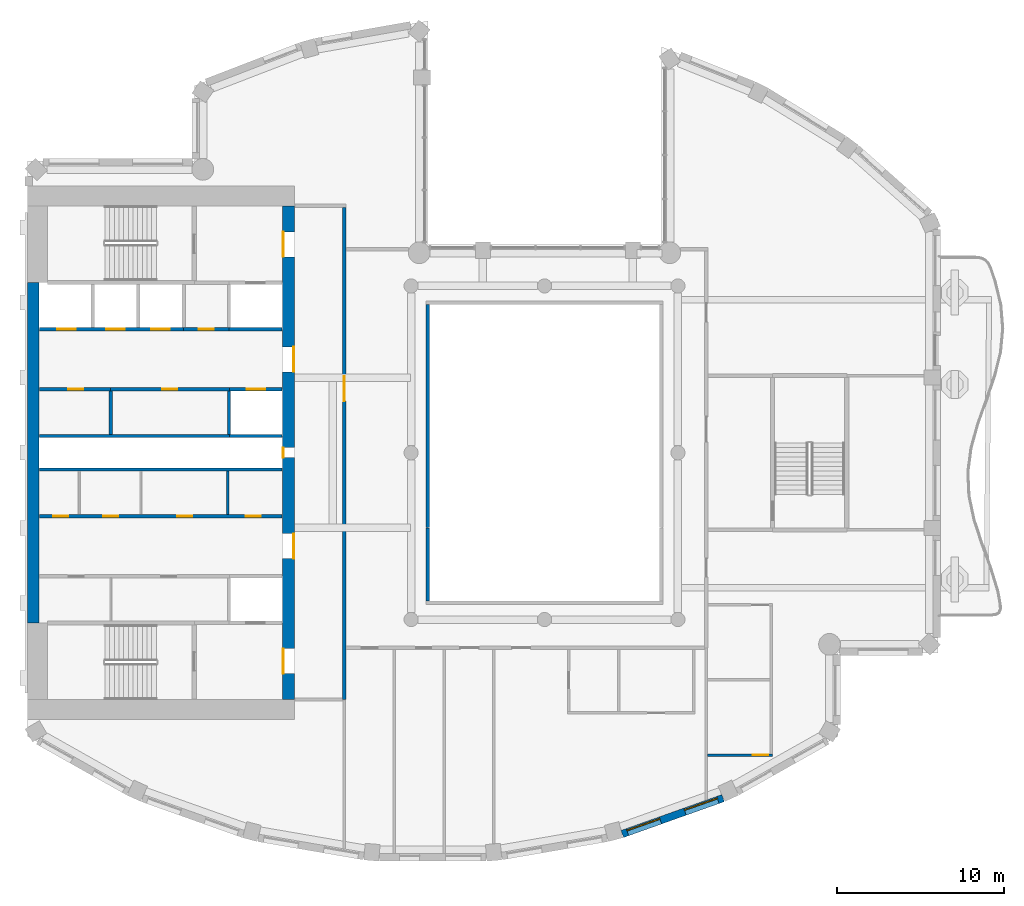
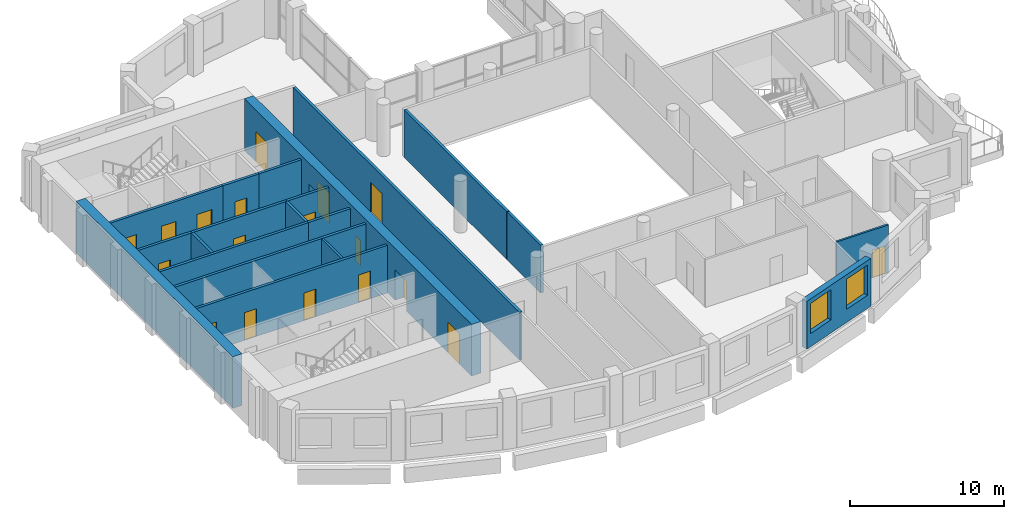
# One storey, part 5 of 14: 20 walls, 18 doors, 2 windows, 20 openings.
"""IFC4 building model written with IfcOpenShell, lengths in metres."""

from ifc_helpers import new_model, si_unit, direction, frame, frame_2d, origin, place, context, subcontext, project, spatial, rectangle, extrude, material, layer, layer_set, type_object, element, fill, save


model = new_model("IFC4")

# Units and contexts
model_context = context("Model", 3, precision=1e-05, world=origin(), true_north=direction((0.0, 1.0)))
body_context = subcontext(model_context, "Body", "Model", "MODEL_VIEW")
ifc_project = project(units=[si_unit("LENGTHUNIT", "METRE"), si_unit("AREAUNIT", "SQUARE_METRE"), si_unit("VOLUMEUNIT", "CUBIC_METRE"), si_unit("PLANEANGLEUNIT", "RADIAN"), si_unit("MASSUNIT", "GRAM", prefix="KILO")], contexts=[model_context])

# Site, building, storey
site_placement = place(None, origin())
site = spatial("IfcSite", under=ifc_project, at=site_placement, CompositionType="ELEMENT")
building_placement = place(site_placement, origin())
building = spatial("IfcBuilding", under=site, at=building_placement, Name="Cypress Arch Tower", CompositionType="ELEMENT")
storey_placement = place(building_placement, frame((0.0, 0.0, 272.10009765625)))
storey = spatial("IfcBuildingStorey", under=building, at=storey_placement, Name="L61", CompositionType="ELEMENT", Elevation=272.10009765625)

# Wall, openings, windows
ifc_material_1 = material(Name="Brick (red buff blend)", Category="masonry")
ifc_layer_1 = layer(ifc_material_1, 0.449951171875)
ifc_layer_set_1 = layer_set([ifc_layer_1], Name="Brick pier and spandrel wall BW450")
wall_type_1 = type_object("IfcWallType", Name="Brick pier and spandrel wall BW450", PredefinedType="SOLIDWALL", material=ifc_layer_set_1)
wall_1_placement = place(storey_placement, frame((5.66455078125, -22.859375, 0.0), z_axis=(0.0, 0.0, 1.0), x_axis=(0.942108340262, 0.335308626803, 0.0)))
wall_1 = element("IfcWall", 1, at=wall_1_placement, inside=storey, type_object=wall_type_1, Name="Brick wall L61 C13.0", PredefinedType="SOLIDWALL", context=body_context, shape_type="SweptSolid", body=[
    extrude(rectangle(XDim=6.41162109375, YDim=0.449951171875, at=frame_2d((3.205810546875, 0.0))), origin(), (0.0, 0.0, 1.0), 3.7998046875),
])
opening_1_placement = place(wall_1_placement, frame((0.3271484375, 0.0, 1.050048828125)))
opening_1 = element("IfcOpeningElement", 2, at=opening_1_placement, cuts=wall_1, Name="Opening W210O", PredefinedType="OPENING", context=body_context, shape_type="SweptSolid", body=[
    extrude(rectangle(XDim=2.10009765625, YDim=2.39990234375, at=frame_2d((1.050048828125, 1.199951171875))), frame((0.0, 0.23486328125, 0.0), z_axis=(0.0, -1.0, 0.0), x_axis=(1.0, 0.0, 0.0)), (0.0, 0.0, 1.0), 0.469970703125),
])
opening_2_placement = place(wall_1_placement, frame((3.984619140625, 0.0, 1.050048828125)))
opening_2 = element("IfcOpeningElement", 3, at=opening_2_placement, cuts=wall_1, Name="Opening W210O", PredefinedType="OPENING", context=body_context, shape_type="SweptSolid", body=[
    extrude(rectangle(XDim=2.10009765625, YDim=2.39990234375, at=frame_2d((1.050048828125, 1.199951171875))), frame((0.0, 0.23486328125, 0.0), z_axis=(0.0, -1.0, 0.0), x_axis=(1.0, 0.0, 0.0)), (0.0, 0.0, 1.0), 0.469970703125),
])
ifc_material_2 = material(Name="Anodised aluminium, bronze finish, clear low-emissivity double glazing", Category="aluminium")
window_type = type_object("IfcWindowType", Name="Window Office 2100x2400", PartitioningType="SINGLE_PANEL", PredefinedType="WINDOW", material=ifc_material_2)
window_1_placement = place(opening_1_placement, origin())
window_1 = element("IfcWindow", 4, at=window_1_placement, inside=storey, type_object=window_type, Name="Window L61 C13.0.1", OverallHeight=2.39990234375, OverallWidth=2.10009765625, PartitioningType="SINGLE_PANEL", PredefinedType="WINDOW", context=body_context, shape_type="SweptSolid", body=[
    extrude(rectangle(XDim=2.10009765625, YDim=2.39990234375, at=frame_2d((1.050048828125, 1.199951171875))), frame((0.0, 0.135009765625, 0.0), z_axis=(0.0, -1.0, 0.0), x_axis=(1.0, 0.0, 0.0)), (0.0, 0.0, 1.0), 0.06005859375),
])
fill(opening_1, window_1)
window_2_placement = place(opening_2_placement, origin())
window_2 = element("IfcWindow", 5, at=window_2_placement, inside=storey, type_object=window_type, Name="Window L61 C13.0.2", OverallHeight=2.39990234375, OverallWidth=2.10009765625, PartitioningType="SINGLE_PANEL", PredefinedType="WINDOW", context=body_context, shape_type="SweptSolid", body=[
    extrude(rectangle(XDim=2.10009765625, YDim=2.39990234375, at=frame_2d((1.050048828125, 1.199951171875))), frame((0.0, 0.135009765625, 0.0), z_axis=(0.0, -1.0, 0.0), x_axis=(1.0, 0.0, 0.0)), (0.0, 0.0, 1.0), 0.06005859375),
])
fill(opening_2, window_2)

# Wall, openings, doors
ifc_material_3 = material(Name="Concrete C60/75", Category="concrete")
ifc_layer_2 = layer(ifc_material_3, 0.699951171875)
ifc_layer_set_2 = layer_set([ifc_layer_2], Name="Core wall CW700 C60/75")
wall_type_2 = type_object("IfcWallType", Name="Core wall CW700 C60/75", PredefinedType="SHEAR", material=ifc_layer_set_2)
wall_2_placement = place(storey_placement, frame((-14.35009765625, -14.800048828125, 0.0), z_axis=(0.0, 0.0, 1.0), x_axis=(0.0, 1.0, 0.0)))
wall_2 = element("IfcWall", 6, at=wall_2_placement, inside=storey, type_object=wall_type_2, Name="Core wall", PredefinedType="SHEAR", context=body_context, shape_type="SweptSolid", body=[
    extrude(rectangle(XDim=29.60009765625, YDim=0.699951171875, at=frame_2d((14.800048828125, 0.0))), origin(), (0.0, 0.0, 1.0), 4.099853515625),
])
opening_3_placement = place(wall_2_placement, frame((1.550048828125, 0.0, 0.0)))
opening_3 = element("IfcOpeningElement", 7, at=opening_3_placement, cuts=wall_2, Name="Opening D07", PredefinedType="OPENING", context=body_context, shape_type="SweptSolid", body=[
    extrude(rectangle(XDim=1.5, YDim=2.39990234375, at=frame_2d((0.75, 1.199951171875))), frame((0.0, 0.35986328125, 0.0), z_axis=(0.0, -1.0, 0.0), x_axis=(1.0, 0.0, 0.0)), (0.0, 0.0, 1.0), 0.719970703125),
])
opening_4_placement = place(wall_2_placement, frame((26.550048828125, 0.0, 0.0)))
opening_4 = element("IfcOpeningElement", 8, at=opening_4_placement, cuts=wall_2, Name="Opening D07", PredefinedType="OPENING", context=body_context, shape_type="SweptSolid", body=[
    extrude(rectangle(XDim=1.5, YDim=2.39990234375, at=frame_2d((0.75, 1.199951171875))), frame((0.0, 0.35986328125, 0.0), z_axis=(0.0, -1.0, 0.0), x_axis=(1.0, 0.0, 0.0)), (0.0, 0.0, 1.0), 0.719970703125),
])
opening_5_placement = place(wall_2_placement, frame((8.449951171875, 0.0, 0.0)))
opening_5 = element("IfcOpeningElement", 9, at=opening_5_placement, cuts=wall_2, Name="Opening D07", PredefinedType="OPENING", context=body_context, shape_type="SweptSolid", body=[
    extrude(rectangle(XDim=1.5, YDim=2.39990234375, at=frame_2d((0.75, 1.199951171875))), frame((0.0, 0.35986328125, 0.0), z_axis=(0.0, -1.0, 0.0), x_axis=(1.0, 0.0, 0.0)), (0.0, 0.0, 1.0), 0.719970703125),
])
opening_6_placement = place(wall_2_placement, frame((19.64990234375, 0.0, 0.0)))
opening_6 = element("IfcOpeningElement", 10, at=opening_6_placement, cuts=wall_2, Name="Opening D07", PredefinedType="OPENING", context=body_context, shape_type="SweptSolid", body=[
    extrude(rectangle(XDim=1.5, YDim=2.39990234375, at=frame_2d((0.75, 1.199951171875))), frame((0.0, 0.35986328125, 0.0), z_axis=(0.0, -1.0, 0.0), x_axis=(1.0, 0.0, 0.0)), (0.0, 0.0, 1.0), 0.719970703125),
])
opening_7_placement = place(wall_2_placement, frame((14.5, 0.0, 0.0)))
opening_7 = element("IfcOpeningElement", 11, at=opening_7_placement, cuts=wall_2, Name="Opening D08", PredefinedType="OPENING", context=body_context, shape_type="SweptSolid", body=[
    extrude(rectangle(XDim=0.60009765625, YDim=2.0, at=frame_2d((0.300048828125, 1.0))), frame((0.0, 0.35986328125, 0.0), z_axis=(0.0, -1.0, 0.0), x_axis=(1.0, 0.0, 0.0)), (0.0, 0.0, 1.0), 0.719970703125),
])
ifc_material_4 = material(Name="Steel framed glazed door, fire resisting", Category="steel")
door_type_1 = type_object("IfcDoorType", Name="Lobby door D07 1500x2400", OperationType="DOUBLE_DOOR_SINGLE_SWING", PredefinedType="DOOR", material=ifc_material_4)
door_1_placement = place(opening_3_placement, origin())
door_1 = element("IfcDoor", 12, at=door_1_placement, inside=storey, type_object=door_type_1, Name="Lobby door", OperationType="DOUBLE_DOOR_SINGLE_SWING", OverallHeight=2.39990234375, OverallWidth=1.5, PredefinedType="DOOR", context=body_context, shape_type="SweptSolid", body=[
    extrude(rectangle(XDim=1.5, YDim=2.39990234375, at=frame_2d((0.75, 1.199951171875))), frame((0.0, 0.34521484375, 0.0), z_axis=(0.0, -1.0, 0.0), x_axis=(1.0, 0.0, 0.0)), (0.0, 0.0, 1.0), 0.050048828125),
])
fill(opening_3, door_1)
door_2_placement = place(opening_4_placement, origin())
door_2 = element("IfcDoor", 13, at=door_2_placement, inside=storey, type_object=door_type_1, Name="Lobby door", OperationType="DOUBLE_DOOR_SINGLE_SWING", OverallHeight=2.39990234375, OverallWidth=1.5, PredefinedType="DOOR", context=body_context, shape_type="SweptSolid", body=[
    extrude(rectangle(XDim=1.5, YDim=2.39990234375, at=frame_2d((0.75, 1.199951171875))), frame((0.0, 0.34521484375, 0.0), z_axis=(0.0, -1.0, 0.0), x_axis=(1.0, 0.0, 0.0)), (0.0, 0.0, 1.0), 0.050048828125),
])
fill(opening_4, door_2)
door_3_placement = place(opening_5_placement, origin())
door_3 = element("IfcDoor", 14, at=door_3_placement, inside=storey, type_object=door_type_1, Name="Lobby door", OperationType="DOUBLE_DOOR_SINGLE_SWING", OverallHeight=2.39990234375, OverallWidth=1.5, PredefinedType="DOOR", context=body_context, shape_type="SweptSolid", body=[
    extrude(rectangle(XDim=1.5, YDim=2.39990234375, at=frame_2d((0.75, 1.199951171875))), frame((0.0, -0.294921875, 0.0), z_axis=(0.0, -1.0, 0.0), x_axis=(1.0, 0.0, 0.0)), (0.0, 0.0, 1.0), 0.050048828125),
])
fill(opening_5, door_3)
door_4_placement = place(opening_6_placement, origin())
door_4 = element("IfcDoor", 15, at=door_4_placement, inside=storey, type_object=door_type_1, Name="Lobby door", OperationType="DOUBLE_DOOR_SINGLE_SWING", OverallHeight=2.39990234375, OverallWidth=1.5, PredefinedType="DOOR", context=body_context, shape_type="SweptSolid", body=[
    extrude(rectangle(XDim=1.5, YDim=2.39990234375, at=frame_2d((0.75, 1.199951171875))), frame((0.0, -0.294921875, 0.0), z_axis=(0.0, -1.0, 0.0), x_axis=(1.0, 0.0, 0.0)), (0.0, 0.0, 1.0), 0.050048828125),
])
fill(opening_6, door_4)
ifc_material_5 = material(Name="Steel access door, fire resisting", Category="steel")
door_type_2 = type_object("IfcDoorType", Name="Riser access door D08 600x2000", OperationType="SINGLE_SWING_LEFT", PredefinedType="DOOR", material=ifc_material_5)
door_5_placement = place(opening_7_placement, origin())
door_5 = element("IfcDoor", 16, at=door_5_placement, inside=storey, type_object=door_type_2, Name="Riser access door", OperationType="SINGLE_SWING_RIGHT", OverallHeight=2.0, OverallWidth=0.60009765625, PredefinedType="DOOR", context=body_context, shape_type="SweptSolid", body=[
    extrude(rectangle(XDim=0.60009765625, YDim=2.0, at=frame_2d((0.300048828125, 1.0))), frame((0.0, 0.34521484375, 0.0), z_axis=(0.0, -1.0, 0.0), x_axis=(1.0, 0.0, 0.0)), (0.0, 0.0, 1.0), 0.050048828125),
])
fill(opening_7, door_5)

# Wall
wall_3_placement = place(storey_placement, frame((-29.64990234375, -10.199951171875, 0.0), z_axis=(0.0, 0.0, 1.0), x_axis=(0.0, 1.0, 0.0)))
element("IfcWall", 17, at=wall_3_placement, inside=storey, type_object=wall_type_2, Name="Core wall", PredefinedType="SHEAR", context=body_context, shape_type="SweptSolid", body=[
    extrude(rectangle(XDim=20.39990234375, YDim=0.699951171875, at=frame_2d((10.199951171875, 0.0))), origin(), (0.0, 0.0, 1.0), 4.099853515625),
])

# Wall, openings, doors
ifc_material_6 = material(Name="Concrete blockwork, plastered, rated", Category="masonry")
ifc_layer_3 = layer(ifc_material_6, 0.199951171875)
ifc_layer_set_3 = layer_set([ifc_layer_3], Name="Corridor wall FW200")
wall_type_3 = type_object("IfcWallType", Name="Corridor wall FW200", PredefinedType="PARTITIONING", material=ifc_layer_set_3)
wall_4_placement = place(storey_placement, frame((-29.27001953125, -3.800048828125, 0.0), z_axis=(0.0, 0.0, 1.0), x_axis=(1.0, 0.0, 0.0)))
wall_4 = element("IfcWall", 18, at=wall_4_placement, inside=storey, type_object=wall_type_3, Name="Corridor wall", PredefinedType="PARTITIONING", context=body_context, shape_type="SweptSolid", body=[
    extrude(rectangle(XDim=14.5400390625, YDim=0.199951171875, at=frame_2d((7.27001953125, 0.0))), origin(), (0.0, 0.0, 1.0), 3.7998046875),
])
opening_8_placement = place(wall_4_placement, frame((0.800048828125, 0.0, 0.0)))
opening_8 = element("IfcOpeningElement", 19, at=opening_8_placement, cuts=wall_4, Name="Opening D05", PredefinedType="OPENING", context=body_context, shape_type="SweptSolid", body=[
    extrude(rectangle(XDim=0.89990234375, YDim=2.199951171875, at=frame_2d((0.449951171875, 1.10009765625))), frame((0.0, 0.10986328125, 0.0), z_axis=(0.0, -1.0, 0.0), x_axis=(1.0, 0.0, 0.0)), (0.0, 0.0, 1.0), 0.219970703125),
])
opening_9_placement = place(wall_4_placement, frame((3.800048828125, 0.0, 0.0)))
opening_9 = element("IfcOpeningElement", 20, at=opening_9_placement, cuts=wall_4, Name="Opening D05", PredefinedType="OPENING", context=body_context, shape_type="SweptSolid", body=[
    extrude(rectangle(XDim=0.89990234375, YDim=2.199951171875, at=frame_2d((0.449951171875, 1.10009765625))), frame((0.0, 0.10986328125, 0.0), z_axis=(0.0, -1.0, 0.0), x_axis=(1.0, 0.0, 0.0)), (0.0, 0.0, 1.0), 0.219970703125),
])
opening_10_placement = place(wall_4_placement, frame((8.25, 0.0, 0.0)))
opening_10 = element("IfcOpeningElement", 21, at=opening_10_placement, cuts=wall_4, Name="Opening D05", PredefinedType="OPENING", context=body_context, shape_type="SweptSolid", body=[
    extrude(rectangle(XDim=0.89990234375, YDim=2.199951171875, at=frame_2d((0.449951171875, 1.10009765625))), frame((0.0, 0.10986328125, 0.0), z_axis=(0.0, -1.0, 0.0), x_axis=(1.0, 0.0, 0.0)), (0.0, 0.0, 1.0), 0.219970703125),
])
opening_11_placement = place(wall_4_placement, frame((12.35009765625, 0.0, 0.0)))
opening_11 = element("IfcOpeningElement", 22, at=opening_11_placement, cuts=wall_4, Name="Opening D05", PredefinedType="OPENING", context=body_context, shape_type="SweptSolid", body=[
    extrude(rectangle(XDim=0.89990234375, YDim=2.199951171875, at=frame_2d((0.449951171875, 1.10009765625))), frame((0.0, 0.10986328125, 0.0), z_axis=(0.0, -1.0, 0.0), x_axis=(1.0, 0.0, 0.0)), (0.0, 0.0, 1.0), 0.219970703125),
])
ifc_material_7 = material(Name="Timber flush door", Category="wood")
door_type_3 = type_object("IfcDoorType", Name="Service door D05 900x2200", OperationType="SINGLE_SWING_LEFT", PredefinedType="DOOR", material=ifc_material_7)
door_6_placement = place(opening_8_placement, origin())
door_6 = element("IfcDoor", 23, at=door_6_placement, inside=storey, type_object=door_type_3, Name="Service door", OperationType="SINGLE_SWING_RIGHT", OverallHeight=2.199951171875, OverallWidth=0.89990234375, PredefinedType="DOOR", context=body_context, shape_type="SweptSolid", body=[
    extrude(rectangle(XDim=0.89990234375, YDim=2.199951171875, at=frame_2d((0.449951171875, 1.10009765625))), frame((0.0, 0.02490234375, 0.0), z_axis=(0.0, -1.0, 0.0), x_axis=(1.0, 0.0, 0.0)), (0.0, 0.0, 1.0), 0.050048828125),
])
fill(opening_8, door_6)
door_7_placement = place(opening_9_placement, origin())
door_7 = element("IfcDoor", 24, at=door_7_placement, inside=storey, type_object=door_type_3, Name="Service door", OperationType="SINGLE_SWING_RIGHT", OverallHeight=2.199951171875, OverallWidth=0.89990234375, PredefinedType="DOOR", context=body_context, shape_type="SweptSolid", body=[
    extrude(rectangle(XDim=0.89990234375, YDim=2.199951171875, at=frame_2d((0.449951171875, 1.10009765625))), frame((0.0, 0.02490234375, 0.0), z_axis=(0.0, -1.0, 0.0), x_axis=(1.0, 0.0, 0.0)), (0.0, 0.0, 1.0), 0.050048828125),
])
fill(opening_9, door_7)
door_8_placement = place(opening_10_placement, origin())
door_8 = element("IfcDoor", 25, at=door_8_placement, inside=storey, type_object=door_type_3, Name="Service door", OperationType="SINGLE_SWING_RIGHT", OverallHeight=2.199951171875, OverallWidth=0.89990234375, PredefinedType="DOOR", context=body_context, shape_type="SweptSolid", body=[
    extrude(rectangle(XDim=0.89990234375, YDim=2.199951171875, at=frame_2d((0.449951171875, 1.10009765625))), frame((0.0, 0.02490234375, 0.0), z_axis=(0.0, -1.0, 0.0), x_axis=(1.0, 0.0, 0.0)), (0.0, 0.0, 1.0), 0.050048828125),
])
fill(opening_10, door_8)
door_9_placement = place(opening_11_placement, origin())
door_9 = element("IfcDoor", 26, at=door_9_placement, inside=storey, type_object=door_type_3, Name="Service door", OperationType="SINGLE_SWING_LEFT", OverallHeight=2.199951171875, OverallWidth=0.89990234375, PredefinedType="DOOR", context=body_context, shape_type="SweptSolid", body=[
    extrude(rectangle(XDim=0.89990234375, YDim=2.199951171875, at=frame_2d((0.449951171875, 1.10009765625))), frame((0.0, 0.02490234375, 0.0), z_axis=(0.0, -1.0, 0.0), x_axis=(1.0, 0.0, 0.0)), (0.0, 0.0, 1.0), 0.050048828125),
])
fill(opening_11, door_9)

# Wall, opening, door
wall_5_placement = place(storey_placement, frame((-29.27001953125, 3.800048828125, 0.0), z_axis=(0.0, 0.0, 1.0), x_axis=(1.0, 0.0, 0.0)))
wall_5 = element("IfcWall", 27, at=wall_5_placement, inside=storey, type_object=wall_type_3, Name="Corridor wall", PredefinedType="PARTITIONING", context=body_context, shape_type="SweptSolid", body=[
    extrude(rectangle(XDim=4.25, YDim=0.199951171875, at=frame_2d((2.125, 0.0))), origin(), (0.0, 0.0, 1.0), 3.7998046875),
])
opening_12_placement = place(wall_5_placement, frame((1.699951171875, 0.0, 0.0)))
opening_12 = element("IfcOpeningElement", 28, at=opening_12_placement, cuts=wall_5, Name="Opening D05", PredefinedType="OPENING", context=body_context, shape_type="SweptSolid", body=[
    extrude(rectangle(XDim=0.89990234375, YDim=2.199951171875, at=frame_2d((0.449951171875, 1.10009765625))), frame((0.0, 0.10986328125, 0.0), z_axis=(0.0, -1.0, 0.0), x_axis=(1.0, 0.0, 0.0)), (0.0, 0.0, 1.0), 0.219970703125),
])
door_10_placement = place(opening_12_placement, origin())
door_10 = element("IfcDoor", 29, at=door_10_placement, inside=storey, type_object=door_type_3, Name="Service door", OperationType="SINGLE_SWING_LEFT", OverallHeight=2.199951171875, OverallWidth=0.89990234375, PredefinedType="DOOR", context=body_context, shape_type="SweptSolid", body=[
    extrude(rectangle(XDim=0.89990234375, YDim=2.199951171875, at=frame_2d((0.449951171875, 1.10009765625))), frame((0.0, 0.02490234375, 0.0), z_axis=(0.0, -1.0, 0.0), x_axis=(1.0, 0.0, 0.0)), (0.0, 0.0, 1.0), 0.050048828125),
])
fill(opening_12, door_10)

wall_6_placement = place(storey_placement, frame((-20.639892578125, 7.39990234375, 0.0), z_axis=(0.0, 0.0, 1.0), x_axis=(1.0, 0.0, 0.0)))
wall_6 = element("IfcWall", 30, at=wall_6_placement, inside=storey, type_object=wall_type_3, Name="Corridor wall", PredefinedType="PARTITIONING", context=body_context, shape_type="SweptSolid", body=[
    extrude(rectangle(XDim=2.719970703125, YDim=0.199951171875, at=frame_2d((1.35986328125, 0.0))), origin(), (0.0, 0.0, 1.0), 3.7998046875),
])
opening_13_placement = place(wall_6_placement, frame((0.89990234375, 0.0, 0.0)))
opening_13 = element("IfcOpeningElement", 31, at=opening_13_placement, cuts=wall_6, Name="Opening D05", PredefinedType="OPENING", context=body_context, shape_type="SweptSolid", body=[
    extrude(rectangle(XDim=0.89990234375, YDim=2.199951171875, at=frame_2d((0.449951171875, 1.10009765625))), frame((0.0, 0.10986328125, 0.0), z_axis=(0.0, -1.0, 0.0), x_axis=(1.0, 0.0, 0.0)), (0.0, 0.0, 1.0), 0.219970703125),
])
door_11_placement = place(opening_13_placement, origin())
door_11 = element("IfcDoor", 32, at=door_11_placement, inside=storey, type_object=door_type_3, Name="Service door", OperationType="SINGLE_SWING_LEFT", OverallHeight=2.199951171875, OverallWidth=0.89990234375, PredefinedType="DOOR", context=body_context, shape_type="SweptSolid", body=[
    extrude(rectangle(XDim=0.89990234375, YDim=2.199951171875, at=frame_2d((0.449951171875, 1.10009765625))), frame((0.0, 0.02490234375, 0.0), z_axis=(0.0, -1.0, 0.0), x_axis=(1.0, 0.0, 0.0)), (0.0, 0.0, 1.0), 0.050048828125),
])
fill(opening_13, door_11)

wall_7_placement = place(storey_placement, frame((-11.0, -14.800048828125, 0.0), z_axis=(0.0, 0.0, 1.0), x_axis=(0.0, 1.0, 0.0)))
wall_7 = element("IfcWall", 33, at=wall_7_placement, inside=storey, type_object=wall_type_3, Name="Corridor wall", PredefinedType="PARTITIONING", context=body_context, shape_type="SweptSolid", body=[
    extrude(rectangle(XDim=29.5, YDim=0.199951171875, at=frame_2d((14.75, 0.0))), origin(), (0.0, 0.0, 1.0), 3.7998046875),
])
opening_14_placement = place(wall_7_placement, frame((17.89990234375, 0.0, 0.0)))
opening_14 = element("IfcOpeningElement", 34, at=opening_14_placement, cuts=wall_7, Name="Opening D07", PredefinedType="OPENING", context=body_context, shape_type="SweptSolid", body=[
    extrude(rectangle(XDim=1.5, YDim=2.39990234375, at=frame_2d((0.75, 1.199951171875))), frame((0.0, 0.10986328125, 0.0), z_axis=(0.0, -1.0, 0.0), x_axis=(1.0, 0.0, 0.0)), (0.0, 0.0, 1.0), 0.219970703125),
])
door_12_placement = place(opening_14_placement, origin())
door_12 = element("IfcDoor", 35, at=door_12_placement, inside=storey, type_object=door_type_1, Name="Lobby door", OperationType="DOUBLE_DOOR_SINGLE_SWING", OverallHeight=2.39990234375, OverallWidth=1.5, PredefinedType="DOOR", context=body_context, shape_type="SweptSolid", body=[
    extrude(rectangle(XDim=1.5, YDim=2.39990234375, at=frame_2d((0.75, 1.199951171875))), frame((0.0, 0.02490234375, 0.0), z_axis=(0.0, -1.0, 0.0), x_axis=(1.0, 0.0, 0.0)), (0.0, 0.0, 1.0), 0.050048828125),
])
fill(opening_14, door_12)

# Walls
wall_8_placement = place(storey_placement, frame((-6.0, -8.89990234375, 0.0), z_axis=(0.0, 0.0, 1.0), x_axis=(0.0, 1.0, 0.0)))
element("IfcWall", 36, at=wall_8_placement, inside=storey, type_object=wall_type_3, Name="Corridor wall", PredefinedType="PARTITIONING", context=body_context, shape_type="SweptSolid", body=[
    extrude(rectangle(XDim=4.3798828125, YDim=0.199951171875, at=frame_2d((2.18994140625, 0.0))), origin(), (0.0, 0.0, 1.0), 3.7998046875),
])
wall_9_placement = place(storey_placement, frame((-6.0, -4.47998046875, 0.0), z_axis=(0.0, 0.0, 1.0), x_axis=(0.0, 1.0, 0.0)))
element("IfcWall", 37, at=wall_9_placement, inside=storey, type_object=wall_type_3, Name="Corridor wall", PredefinedType="PARTITIONING", context=body_context, shape_type="SweptSolid", body=[
    extrude(rectangle(XDim=13.3798828125, YDim=0.199951171875, at=frame_2d((6.68994140625, 0.0))), origin(), (0.0, 0.0, 1.0), 3.7998046875),
])
ifc_material_8 = material(Name="Blockwork, plastered both sides", Category="masonry")
ifc_layer_4 = layer(ifc_material_8, 0.14990234375)
ifc_layer_set_4 = layer_set([ifc_layer_4], Name="Partition PW150")
wall_type_4 = type_object("IfcWallType", Name="Partition PW150", PredefinedType="PARTITIONING", material=ifc_layer_set_4)
wall_10_placement = place(storey_placement, frame((-18.0, -3.699951171875, 0.0), z_axis=(0.0, 0.0, 1.0), x_axis=(0.0, 1.0, 0.0)))
element("IfcWall", 38, at=wall_10_placement, inside=storey, type_object=wall_type_4, Name="Partition", PredefinedType="PARTITIONING", context=body_context, shape_type="SweptSolid", body=[
    extrude(rectangle(XDim=2.599853515625, YDim=0.14990234375, at=frame_2d((1.2998046875, 0.0))), origin(), (0.0, 0.0, 1.0), 3.7998046875),
])

# Wall, opening, door
wall_11_placement = place(storey_placement, frame((10.77490234375, -18.125, 0.0), z_axis=(0.0, 0.0, 1.0), x_axis=(1.0, 0.0, 0.0)))
wall_11 = element("IfcWall", 39, at=wall_11_placement, inside=storey, type_object=wall_type_4, Name="Partition", PredefinedType="PARTITIONING", context=body_context, shape_type="SweptSolid", body=[
    extrude(rectangle(XDim=3.900146484375, YDim=0.14990234375, at=frame_2d((1.9501953125, 0.0))), origin(), (0.0, 0.0, 1.0), 3.7998046875),
])
opening_15_placement = place(wall_11_placement, frame((2.699951171875, 0.0, 0.0)))
opening_15 = element("IfcOpeningElement", 40, at=opening_15_placement, cuts=wall_11, Name="Opening D12", PredefinedType="OPENING", context=body_context, shape_type="SweptSolid", body=[
    extrude(rectangle(XDim=0.949951171875, YDim=2.199951171875, at=frame_2d((0.47509765625, 1.10009765625))), frame((0.0, 0.0849609375, 0.0), z_axis=(0.0, -1.0, 0.0), x_axis=(1.0, 0.0, 0.0)), (0.0, 0.0, 1.0), 0.169921875),
])
ifc_material_9 = material(Name="Timber flush door", Category="wood")
door_type_4 = type_object("IfcDoorType", Name="Room door D12 950x2200", OperationType="SINGLE_SWING_LEFT", PredefinedType="DOOR", material=ifc_material_9)
door_13_placement = place(opening_15_placement, origin())
door_13 = element("IfcDoor", 41, at=door_13_placement, inside=storey, type_object=door_type_4, Name="Room door", OperationType="SINGLE_SWING_RIGHT", OverallHeight=2.199951171875, OverallWidth=0.949951171875, PredefinedType="DOOR", context=body_context, shape_type="SweptSolid", body=[
    extrude(rectangle(XDim=0.949951171875, YDim=2.199951171875, at=frame_2d((0.47509765625, 1.10009765625))), frame((0.0, 0.02490234375, 0.0), z_axis=(0.0, -1.0, 0.0), x_axis=(1.0, 0.0, 0.0)), (0.0, 0.0, 1.0), 0.050048828125),
])
fill(opening_15, door_13)

# Walls
ifc_material_10 = material(Name="Reinforced blockwork, plastered, rated", Category="masonry")
ifc_layer_5 = layer(ifc_material_10, 0.199951171875)
ifc_layer_set_5 = layer_set([ifc_layer_5], Name="Plant and riser wall PL200")
wall_type_5 = type_object("IfcWallType", Name="Plant and riser wall PL200", PredefinedType="PARTITIONING", material=ifc_layer_set_5)
wall_12_placement = place(storey_placement, frame((-29.27001953125, -1.0, 0.0), z_axis=(0.0, 0.0, 1.0), x_axis=(1.0, 0.0, 0.0)))
element("IfcWall", 42, at=wall_12_placement, inside=storey, type_object=wall_type_5, Name="Plant and riser wall", PredefinedType="PARTITIONING", context=body_context, shape_type="SweptSolid", body=[
    extrude(rectangle(XDim=14.5400390625, YDim=0.199951171875, at=frame_2d((7.27001953125, 0.0))), origin(), (0.0, 0.0, 1.0), 3.7998046875),
])
wall_13_placement = place(storey_placement, frame((-29.27001953125, 1.0, 0.0), z_axis=(0.0, 0.0, 1.0), x_axis=(1.0, 0.0, 0.0)))
element("IfcWall", 43, at=wall_13_placement, inside=storey, type_object=wall_type_5, Name="Plant and riser wall", PredefinedType="PARTITIONING", context=body_context, shape_type="SweptSolid", body=[
    extrude(rectangle(XDim=11.3701171875, YDim=0.199951171875, at=frame_2d((5.68505859375, 0.0))), origin(), (0.0, 0.0, 1.0), 3.7998046875),
])

# Wall, opening, door
wall_14_placement = place(storey_placement, frame((-25.02001953125, 3.800048828125, 0.0), z_axis=(0.0, 0.0, 1.0), x_axis=(1.0, 0.0, 0.0)))
wall_14 = element("IfcWall", 44, at=wall_14_placement, inside=storey, type_object=wall_type_5, Name="Plant and riser wall", PredefinedType="PARTITIONING", context=body_context, shape_type="SweptSolid", body=[
    extrude(rectangle(XDim=7.1201171875, YDim=0.199951171875, at=frame_2d((3.56005859375, 0.0))), origin(), (0.0, 0.0, 1.0), 3.7998046875),
])
opening_16_placement = place(wall_14_placement, frame((3.10009765625, 0.0, 0.0)))
opening_16 = element("IfcOpeningElement", 45, at=opening_16_placement, cuts=wall_14, Name="Opening D05", PredefinedType="OPENING", context=body_context, shape_type="SweptSolid", body=[
    extrude(rectangle(XDim=0.89990234375, YDim=2.199951171875, at=frame_2d((0.449951171875, 1.10009765625))), frame((0.0, 0.10986328125, 0.0), z_axis=(0.0, -1.0, 0.0), x_axis=(1.0, 0.0, 0.0)), (0.0, 0.0, 1.0), 0.219970703125),
])
door_14_placement = place(opening_16_placement, origin())
door_14 = element("IfcDoor", 46, at=door_14_placement, inside=storey, type_object=door_type_3, Name="Service door", OperationType="SINGLE_SWING_RIGHT", OverallHeight=2.199951171875, OverallWidth=0.89990234375, PredefinedType="DOOR", context=body_context, shape_type="SweptSolid", body=[
    extrude(rectangle(XDim=0.89990234375, YDim=2.199951171875, at=frame_2d((0.449951171875, 1.10009765625))), frame((0.0, 0.02490234375, 0.0), z_axis=(0.0, -1.0, 0.0), x_axis=(1.0, 0.0, 0.0)), (0.0, 0.0, 1.0), 0.050048828125),
])
fill(opening_16, door_14)

# Wall
wall_15_placement = place(storey_placement, frame((-25.0, 1.10009765625, 0.0), z_axis=(0.0, 0.0, 1.0), x_axis=(0.0, 1.0, 0.0)))
element("IfcWall", 47, at=wall_15_placement, inside=storey, type_object=wall_type_5, Name="Plant and riser wall", PredefinedType="PARTITIONING", context=body_context, shape_type="SweptSolid", body=[
    extrude(rectangle(XDim=2.599853515625, YDim=0.199951171875, at=frame_2d((1.2998046875, 0.0))), origin(), (0.0, 0.0, 1.0), 3.7998046875),
])

# Wall, openings, doors
ifc_material_11 = material(Name="Concrete C50/60", Category="concrete")
ifc_layer_6 = layer(ifc_material_11, 0.199951171875)
ifc_layer_set_6 = layer_set([ifc_layer_6], Name="Shaft wall SH200")
wall_type_6 = type_object("IfcWallType", Name="Shaft wall SH200", PredefinedType="SHEAR", material=ifc_layer_set_6)
wall_16_placement = place(storey_placement, frame((-29.27001953125, 7.39990234375, 0.0), z_axis=(0.0, 0.0, 1.0), x_axis=(1.0, 0.0, 0.0)))
wall_16 = element("IfcWall", 48, at=wall_16_placement, inside=storey, type_object=wall_type_6, Name="Shaft wall", PredefinedType="SHEAR", context=body_context, shape_type="SweptSolid", body=[
    extrude(rectangle(XDim=8.630126953125, YDim=0.199951171875, at=frame_2d((4.31494140625, 0.0))), origin(), (0.0, 0.0, 1.0), 3.7998046875),
])
opening_17_placement = place(wall_16_placement, frame((1.050048828125, 0.0, 0.0)))
opening_17 = element("IfcOpeningElement", 49, at=opening_17_placement, cuts=wall_16, Name="Opening LD-HR5", PredefinedType="OPENING", context=body_context, shape_type="SweptSolid", body=[
    extrude(rectangle(XDim=1.10009765625, YDim=2.199951171875, at=frame_2d((0.550048828125, 1.10009765625))), frame((0.0, 0.10986328125, 0.0), z_axis=(0.0, -1.0, 0.0), x_axis=(1.0, 0.0, 0.0)), (0.0, 0.0, 1.0), 0.219970703125),
])
opening_18_placement = place(wall_16_placement, frame((4.0, 0.0, 0.0)))
opening_18 = element("IfcOpeningElement", 50, at=opening_18_placement, cuts=wall_16, Name="Opening LD-HR6", PredefinedType="OPENING", context=body_context, shape_type="SweptSolid", body=[
    extrude(rectangle(XDim=1.10009765625, YDim=2.199951171875, at=frame_2d((0.550048828125, 1.10009765625))), frame((0.0, 0.10986328125, 0.0), z_axis=(0.0, -1.0, 0.0), x_axis=(1.0, 0.0, 0.0)), (0.0, 0.0, 1.0), 0.219970703125),
])
opening_19_placement = place(wall_16_placement, frame((6.699951171875, 0.0, 0.0)))
opening_19 = element("IfcOpeningElement", 51, at=opening_19_placement, cuts=wall_16, Name="Opening LD-HR7", PredefinedType="OPENING", context=body_context, shape_type="SweptSolid", body=[
    extrude(rectangle(XDim=1.10009765625, YDim=2.199951171875, at=frame_2d((0.550048828125, 1.10009765625))), frame((0.0, 0.10986328125, 0.0), z_axis=(0.0, -1.0, 0.0), x_axis=(1.0, 0.0, 0.0)), (0.0, 0.0, 1.0), 0.219970703125),
])
ifc_material_12 = material(Name="Stainless steel centre-opening landing door, rated", Category="steel")
door_type_5 = type_object("IfcDoorType", Name="Lift landing door LD 1100x2200", OperationType="DOUBLE_DOOR_SLIDING", PredefinedType="DOOR", material=ifc_material_12)
door_15_placement = place(opening_17_placement, origin())
door_15 = element("IfcDoor", 52, at=door_15_placement, inside=storey, type_object=door_type_5, Name="Lift landing doors HR5", OperationType="DOUBLE_DOOR_SLIDING", OverallHeight=2.199951171875, OverallWidth=1.10009765625, PredefinedType="DOOR", context=body_context, shape_type="SweptSolid", body=[
    extrude(rectangle(XDim=1.10009765625, YDim=2.199951171875, at=frame_2d((0.550048828125, 1.10009765625))), frame((0.0, 0.02490234375, 0.0), z_axis=(0.0, -1.0, 0.0), x_axis=(1.0, 0.0, 0.0)), (0.0, 0.0, 1.0), 0.050048828125),
])
fill(opening_17, door_15)
door_16_placement = place(opening_18_placement, origin())
door_16 = element("IfcDoor", 53, at=door_16_placement, inside=storey, type_object=door_type_5, Name="Lift landing doors HR6", OperationType="DOUBLE_DOOR_SLIDING", OverallHeight=2.199951171875, OverallWidth=1.10009765625, PredefinedType="DOOR", context=body_context, shape_type="SweptSolid", body=[
    extrude(rectangle(XDim=1.10009765625, YDim=2.199951171875, at=frame_2d((0.550048828125, 1.10009765625))), frame((0.0, 0.02490234375, 0.0), z_axis=(0.0, -1.0, 0.0), x_axis=(1.0, 0.0, 0.0)), (0.0, 0.0, 1.0), 0.050048828125),
])
fill(opening_18, door_16)
door_17_placement = place(opening_19_placement, origin())
door_17 = element("IfcDoor", 54, at=door_17_placement, inside=storey, type_object=door_type_5, Name="Lift landing doors HR7", OperationType="DOUBLE_DOOR_SLIDING", OverallHeight=2.199951171875, OverallWidth=1.10009765625, PredefinedType="DOOR", context=body_context, shape_type="SweptSolid", body=[
    extrude(rectangle(XDim=1.10009765625, YDim=2.199951171875, at=frame_2d((0.550048828125, 1.10009765625))), frame((0.0, 0.02490234375, 0.0), z_axis=(0.0, -1.0, 0.0), x_axis=(1.0, 0.0, 0.0)), (0.0, 0.0, 1.0), 0.050048828125),
])
fill(opening_19, door_17)

# Walls
wall_17_placement = place(storey_placement, frame((-17.919921875, 1.10009765625, 0.0), z_axis=(0.0, 0.0, 1.0), x_axis=(0.0, 1.0, 0.0)))
element("IfcWall", 55, at=wall_17_placement, inside=storey, type_object=wall_type_6, Name="Shaft wall", PredefinedType="SHEAR", context=body_context, shape_type="SweptSolid", body=[
    extrude(rectangle(XDim=2.599853515625, YDim=0.199951171875, at=frame_2d((1.2998046875, 0.0))), origin(), (0.0, 0.0, 1.0), 3.7998046875),
])
wall_18_placement = place(storey_placement, frame((-17.89990234375, 1.0, 0.0), z_axis=(0.0, 0.0, 1.0), x_axis=(1.0, 0.0, 0.0)))
element("IfcWall", 56, at=wall_18_placement, inside=storey, type_object=wall_type_6, Name="Shaft wall", PredefinedType="SHEAR", context=body_context, shape_type="SweptSolid", body=[
    extrude(rectangle(XDim=3.169921875, YDim=0.199951171875, at=frame_2d((1.5849609375, 0.0))), origin(), (0.0, 0.0, 1.0), 3.7998046875),
])

# Wall, opening, door
wall_19_placement = place(storey_placement, frame((-17.89990234375, 3.800048828125, 0.0), z_axis=(0.0, 0.0, 1.0), x_axis=(1.0, 0.0, 0.0)))
wall_19 = element("IfcWall", 57, at=wall_19_placement, inside=storey, type_object=wall_type_6, Name="Shaft wall", PredefinedType="SHEAR", context=body_context, shape_type="SweptSolid", body=[
    extrude(rectangle(XDim=3.169921875, YDim=0.199951171875, at=frame_2d((1.5849609375, 0.0))), origin(), (0.0, 0.0, 1.0), 3.7998046875),
])
opening_20_placement = place(wall_19_placement, frame((1.050048828125, 0.0, 0.0)))
opening_20 = element("IfcOpeningElement", 58, at=opening_20_placement, cuts=wall_19, Name="Opening LD-HR4", PredefinedType="OPENING", context=body_context, shape_type="SweptSolid", body=[
    extrude(rectangle(XDim=1.10009765625, YDim=2.199951171875, at=frame_2d((0.550048828125, 1.10009765625))), frame((0.0, 0.10986328125, 0.0), z_axis=(0.0, -1.0, 0.0), x_axis=(1.0, 0.0, 0.0)), (0.0, 0.0, 1.0), 0.219970703125),
])
door_18_placement = place(opening_20_placement, origin())
door_18 = element("IfcDoor", 59, at=door_18_placement, inside=storey, type_object=door_type_5, Name="Lift landing doors HR4", OperationType="DOUBLE_DOOR_SLIDING", OverallHeight=2.199951171875, OverallWidth=1.10009765625, PredefinedType="DOOR", context=body_context, shape_type="SweptSolid", body=[
    extrude(rectangle(XDim=1.10009765625, YDim=2.199951171875, at=frame_2d((0.550048828125, 1.10009765625))), frame((0.0, 0.02490234375, 0.0), z_axis=(0.0, -1.0, 0.0), x_axis=(1.0, 0.0, 0.0)), (0.0, 0.0, 1.0), 0.050048828125),
])
fill(opening_20, door_18)

# Wall
wall_20_placement = place(storey_placement, frame((-17.919921875, 7.39990234375, 0.0), z_axis=(0.0, 0.0, 1.0), x_axis=(1.0, 0.0, 0.0)))
element("IfcWall", 60, at=wall_20_placement, inside=storey, type_object=wall_type_6, Name="Shaft wall", PredefinedType="SHEAR", context=body_context, shape_type="SweptSolid", body=[
    extrude(rectangle(XDim=3.18994140625, YDim=0.199951171875, at=frame_2d((1.594970703125, 0.0))), origin(), (0.0, 0.0, 1.0), 3.7998046875),
])

save(model, "model.ifc")
